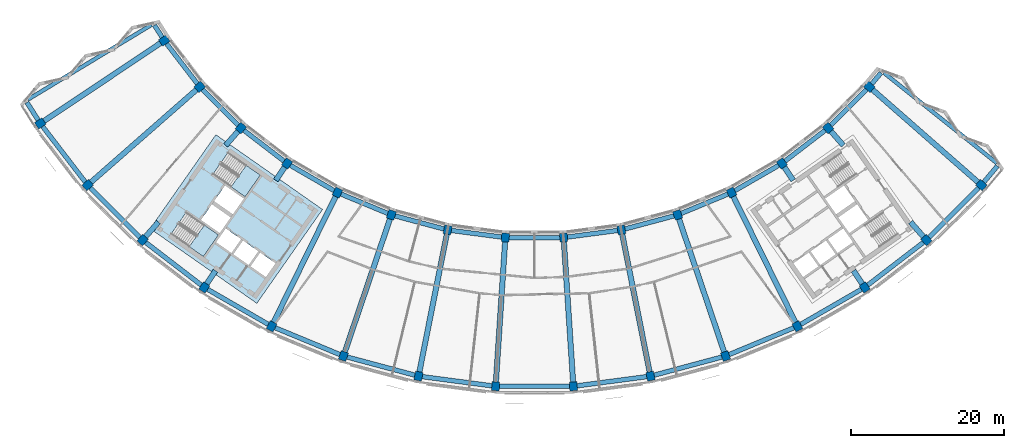
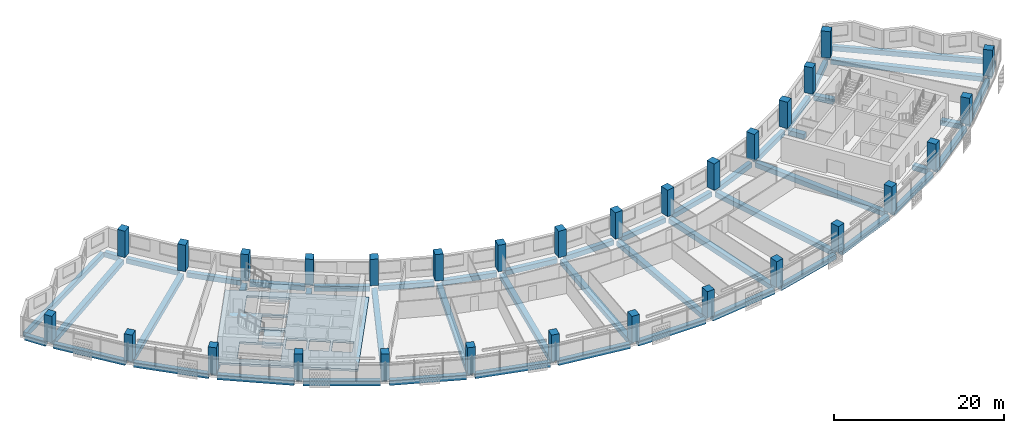
# One storey, part 1 of 28: 53 beams, 30 columns, 3 slabs, 2 elements without a shape of their own.
"""IFC4 building model written with IfcOpenShell, lengths in metres."""

import ifcopenshell
import ifcopenshell.guid

model = None  # the IFC model being written
_history = None  # IfcOwnerHistory: only IFC2X3 demands one
_inside = {}  # id of a spatial element -> (the spatial element, [elements in it])
_under = {}  # id of a project, library or spatial element -> (it, [spatial elements below it])
_declared = {}  # id of a project -> (the project, [libraries it declares])
_typed = {}  # id of a type object -> (the type object, [elements of that type])
_made_of = {}  # id of a material, layer set ... -> (it, [elements and type objects made of it])


def new_model(schema):
    """Start an empty IFC model of exactly this schema.

    Asked for "IFC4X3", IfcOpenShell would pick the latest addendum, in which some entities
    have other attributes; the version numbers below select the first issue.
    IFC2X3 requires an IfcOwnerHistory on every rooted entity: one is made here for all.
    """
    global model, _history
    if schema == "IFC4X3":
        model = ifcopenshell.file(schema_version=(4, 3, 0, 0))
    else:
        model = ifcopenshell.file(schema=schema)
    _inside.clear()
    _under.clear()
    _declared.clear()
    _typed.clear()
    _made_of.clear()
    _history = None
    if model.schema == "IFC2X3":
        org = make("IfcOrganization", Name="unknown")
        user = make(
            "IfcPersonAndOrganization",
            ThePerson=make("IfcPerson", FamilyName="unknown"),
            TheOrganization=org,
        )
        app = make(
            "IfcApplication",
            ApplicationDeveloper=org,
            Version="unknown",
            ApplicationFullName="unknown",
            ApplicationIdentifier="unknown",
        )
        _history = make(
            "IfcOwnerHistory",
            OwningUser=user,
            OwningApplication=app,
            ChangeAction="ADDED",
            CreationDate=0,
        )
    return model


def make(cls, **values):
    """One entity of the class cls with the attributes given. An attribute that is None is left unset."""
    return model.create_entity(
        cls, **{name: value for name, value in values.items() if value is not None}
    )


def rooted(cls, **values):
    """An entity with a GlobalId (a new one), such as an element, a storey or a relation."""
    return make(cls, GlobalId=ifcopenshell.guid.new(), OwnerHistory=_history, **values)


def si_unit(unit_type, name, prefix=None):
    """IfcSIUnit, for example si_unit("LENGTHUNIT", "METRE", prefix="MILLI")."""
    return make("IfcSIUnit", UnitType=unit_type, Prefix=prefix, Name=name)


def assignment(units):
    """IfcUnitAssignment: the units of a project."""
    return None if units is None else make("IfcUnitAssignment", Units=units)


def point(xyz):
    """IfcCartesianPoint."""
    return None if xyz is None else make("IfcCartesianPoint", Coordinates=xyz)


def direction(xyz):
    """IfcDirection."""
    return None if xyz is None else make("IfcDirection", DirectionRatios=xyz)


def frame(location, z_axis=None, x_axis=None):
    """IfcAxis2Placement3D, a coordinate frame: its origin and axes. An axis left out is left unset."""
    return make(
        "IfcAxis2Placement3D",
        Location=point(location),
        Axis=direction(z_axis),
        RefDirection=direction(x_axis),
    )


def frame_2d(location, x_axis=None):
    """IfcAxis2Placement2D, a coordinate frame in the plane: its origin and x axis."""
    return make(
        "IfcAxis2Placement2D", Location=point(location), RefDirection=direction(x_axis)
    )


def origin():
    """The frame at (0, 0, 0) with its axes left unset."""
    return frame((0.0, 0.0, 0.0))


def origin_2d():
    """The frame at (0, 0) in the plane with its x axis left unset."""
    return frame_2d((0.0, 0.0))


def place(relative_to, where):
    """IfcLocalPlacement: puts the frame where relative to a parent placement (None: the world)."""
    return make(
        "IfcLocalPlacement", PlacementRelTo=relative_to, RelativePlacement=where
    )


def context(
    kind, dimensions, precision=None, world=None, true_north=None, identifier=None
):
    """IfcGeometricRepresentationContext, for example the 3D "Model" context."""
    return make(
        "IfcGeometricRepresentationContext",
        ContextIdentifier=identifier,
        ContextType=kind,
        CoordinateSpaceDimension=dimensions,
        Precision=precision,
        WorldCoordinateSystem=world,
        TrueNorth=true_north,
    )


def subcontext(parent, identifier, kind, view, scale=None):
    """IfcGeometricRepresentationSubContext, for example "Body" below "Model"."""
    return make(
        "IfcGeometricRepresentationSubContext",
        ContextIdentifier=identifier,
        ContextType=kind,
        ParentContext=parent,
        TargetScale=scale,
        TargetView=view,
    )


def project(units=None, contexts=None):
    """IfcProject with its units and contexts."""
    return rooted(
        "IfcProject",
        Name="project",
        RepresentationContexts=contexts,
        UnitsInContext=assignment(units),
    )


def spatial(cls, under=None, at=None, **own):
    """A site, building, storey or space (cls), placed at a placement, below another one or the project."""
    s = rooted(cls, ObjectPlacement=at, **own)
    if under is not None:
        _under.setdefault(under.id(), (under, []))[1].append(s)
    return s


def polyline(points):
    """IfcPolyline through the points."""
    return make("IfcPolyline", Points=[point(p) for p in points])


def profile(cls, at=None, kind="AREA", **sizes):
    """A parametric profile (cls). Its sizes go by their IFC names, for example OverallWidth=200.0."""
    return make(cls, ProfileType=kind, Position=at, **sizes)


def rectangle(**sizes):
    """IfcRectangleProfileDef."""
    return profile("IfcRectangleProfileDef", **sizes)


def outline(outer, holes=None, kind="AREA"):
    """IfcArbitraryClosedProfileDef: a profile drawn as a closed curve; with holes, ...WithVoids."""
    if holes is None:
        return make("IfcArbitraryClosedProfileDef", ProfileType=kind, OuterCurve=outer)
    return make(
        "IfcArbitraryProfileDefWithVoids",
        ProfileType=kind,
        OuterCurve=outer,
        InnerCurves=holes,
    )


def extrude(swept, where, along, depth):
    """IfcExtrudedAreaSolid: the profile swept, set in the frame where, extruded along a direction by depth."""
    return make(
        "IfcExtrudedAreaSolid",
        SweptArea=swept,
        Position=where,
        ExtrudedDirection=direction(along),
        Depth=depth,
    )


def shape(context_of_items, identifier, shape_type, items):
    """IfcShapeRepresentation: the items that make up one representation, for example the "Body"."""
    return make(
        "IfcShapeRepresentation",
        ContextOfItems=context_of_items,
        RepresentationIdentifier=identifier,
        RepresentationType=shape_type,
        Items=items,
    )


def material(Name=None, Category=None):
    """IfcMaterial."""
    return make("IfcMaterial", Name=Name, Category=Category)


def layer(
    of_material, thickness, ventilated=None, Name=None, Category=None, Priority=None
):
    """IfcMaterialLayer: one layer of a wall or slab, of a material (None: an air gap)."""
    return make(
        "IfcMaterialLayer",
        Material=of_material,
        LayerThickness=thickness,
        IsVentilated=ventilated,
        Name=Name,
        Category=Category,
        Priority=Priority,
    )


def layer_set(layers, Name=None):
    """IfcMaterialLayerSet."""
    return make("IfcMaterialLayerSet", MaterialLayers=layers, LayerSetName=Name)


def material_profile(
    of_material, cross_section, Name=None, Category=None, Priority=None
):
    """IfcMaterialProfile: a cross section and its material."""
    return make(
        "IfcMaterialProfile",
        Name=Name,
        Material=of_material,
        Profile=cross_section,
        Priority=Priority,
        Category=Category,
    )


def profile_set(profiles, Name=None, composite=None):
    """IfcMaterialProfileSet."""
    return make(
        "IfcMaterialProfileSet",
        Name=Name,
        MaterialProfiles=profiles,
        CompositeProfile=composite,
    )


def made_of(thing, what):
    """Note that an element or type object is made of a material, layer set ...; save() writes the relation."""
    if what is not None:
        _made_of.setdefault(what.id(), (what, []))[1].append(thing)
    return thing


def type_object(cls, material=None, **own):
    """A type object (cls), such as IfcWallType, which elements share."""
    return made_of(rooted(cls, **own), material)


def element(
    cls,
    number,
    at=None,
    inside=None,
    cuts=None,
    type_object=None,
    material=None,
    context=None,
    identifier="Body",
    shape_type=None,
    held_by="IfcProductDefinitionShape",
    body=None,
    shapes=None,
    **own,
):
    """One element of the class cls, such as IfcWall. Its Tag is "e" and its number.

    at: its placement. inside: the storey or other place that contains it. cuts: it is an
    opening in that element (IfcRelVoidsElement). A single representation is given by context,
    identifier, shape_type and body (its items); several are given by shapes. held_by: the class
    of the entity that holds the representations. save() writes the other relations.
    """
    e = rooted(cls, Tag="e%d" % number, ObjectPlacement=at, **own)
    if body is not None:
        shapes = [shape(context, identifier, shape_type, body)]
    if shapes is not None:
        e.Representation = make(held_by, Representations=shapes)
    if inside is not None:
        _inside.setdefault(inside.id(), (inside, []))[1].append(e)
    if cuts is not None:
        rooted(
            "IfcRelVoidsElement", RelatingBuildingElement=cuts, RelatedOpeningElement=e
        )
    if type_object is not None:
        _typed.setdefault(type_object.id(), (type_object, []))[1].append(e)
    return made_of(e, material)


def aggregate(whole, parts):
    """IfcRelAggregates: a whole, such as a stair, and the parts it consists of."""
    return rooted("IfcRelAggregates", RelatingObject=whole, RelatedObjects=parts)


def save(model, path):
    """Write the relations noted so far, then the file.

    IfcRelAggregates (storeys below a building ...), IfcRelContainedInSpatialStructure (elements
    in a storey), IfcRelDefinesByType, IfcRelAssociatesMaterial and IfcRelDeclares: one each for
    every whole, place, type object, material and project.
    """
    for whole, parts in _under.values():
        aggregate(whole, parts)
    for where, things in _inside.values():
        rooted(
            "IfcRelContainedInSpatialStructure",
            RelatedElements=things,
            RelatingStructure=where,
        )
    for kind, things in _typed.values():
        rooted("IfcRelDefinesByType", RelatedObjects=things, RelatingType=kind)
    for what, things in _made_of.values():
        rooted("IfcRelAssociatesMaterial", RelatedObjects=things, RelatingMaterial=what)
    for by, libraries in _declared.values():
        rooted("IfcRelDeclares", RelatingContext=by, RelatedDefinitions=libraries)
    model.write(path)


model = new_model("IFC4")

# Units and contexts
model_context = context("Model", 3, precision=1e-05, world=origin(), true_north=direction((0.0, 1.0)))
body_context = subcontext(model_context, "Body", "Model", "MODEL_VIEW")
ifc_project = project(units=[si_unit("LENGTHUNIT", "METRE"), si_unit("AREAUNIT", "SQUARE_METRE"), si_unit("VOLUMEUNIT", "CUBIC_METRE"), si_unit("PLANEANGLEUNIT", "RADIAN"), si_unit("MASSUNIT", "GRAM", prefix="KILO")], contexts=[model_context])

# Site, building, storey
site_placement = place(None, origin())
site = spatial("IfcSite", under=ifc_project, at=site_placement, CompositionType="ELEMENT")
building_placement = place(site_placement, origin())
building = spatial("IfcBuilding", under=site, at=building_placement, Name="Qamariyya Broadcast Tower", CompositionType="ELEMENT")
storey_placement = place(building_placement, frame((0.0, 0.0, 245.5)))
storey = spatial("IfcBuildingStorey", under=building, at=storey_placement, Name="L59", CompositionType="ELEMENT", Elevation=245.5)

# Columns
ifc_material_1 = material(Name="Concrete C60/75", Category="concrete")
ifc_material_profile_1 = material_profile(ifc_material_1, rectangle(XDim=1.0, YDim=1.14990234375, at=origin_2d()))
ifc_profile_set_1 = profile_set([ifc_material_profile_1], Name="Concrete C60/75")
column_type = type_object("IfcColumnType", Name="RC column 1000 x 1150 C60/75", PredefinedType="COLUMN", material=ifc_profile_set_1)
for number, where, z_axis, x_axis, name in (
    (1, (-48.43310546875, -32.362060546875, 0.0), (0.0, 0.0, 1.0), (0.55557023302, -0.831469612303, 0.0), "Column C11 L59 B-R03"),
    (2, (-64.646728515625, -43.195556640625, 0.0), (0.0, 0.0, 1.0), (0.55557023302, -0.831469612303, 0.0), "Column C11 L59 C-R03"),
    (3, (-43.794677734375, -38.406982421875, 0.0), (0.0, 0.0, 1.0), (0.6593458151, -0.751839807479, 0.0), "Column C11 L59 B-R04"),
    (4, (-58.45556640625, -51.26416015625, 0.0), (0.0, 0.0, 1.0), (0.6593458151, -0.751839807479, 0.0), "Column C11 L59 C-R04"),
    (5, (-38.406982421875, -43.794677734375, 0.0), (0.0, 0.0, 1.0), (0.751839807479, -0.6593458151, 0.0), "Column C11 L59 B-R05"),
    (6, (-51.26416015625, -58.45556640625, 0.0), (0.0, 0.0, 1.0), (0.751839807479, -0.6593458151, 0.0), "Column C11 L59 C-R05"),
    (7, (-32.362060546875, -48.43310546875, 0.0), (0.0, 0.0, 1.0), (0.831469612303, -0.55557023302, 0.0), "Column C11 L59 B-R06"),
    (8, (-43.195556640625, -64.646728515625, 0.0), (0.0, 0.0, 1.0), (0.831469612303, -0.55557023302, 0.0), "Column C11 L59 C-R06"),
    (9, (-25.763427734375, -52.242919921875, 0.0), (0.0, 0.0, 1.0), (0.896872741533, -0.442288690219, 0.0), "Column C11 L59 B-R07"),
    (10, (-34.387939453125, -69.73193359375, 0.0), (0.0, 0.0, 1.0), (0.896872741533, -0.442288690219, 0.0), "Column C11 L59 C-R07"),
    (11, (-18.723876953125, -55.15869140625, 0.0), (0.0, 0.0, 1.0), (0.946930129495, -0.321439465303, 0.0), "Column C11 L59 B-R08"),
    (12, (-24.991943359375, -73.623779296875, 0.0), (0.0, 0.0, 1.0), (0.946930129495, -0.321439465303, 0.0), "Column C11 L59 C-R08"),
    (13, (-11.364013671875, -57.130859375, 0.0), (0.0, 0.0, 1.0), (0.980785280403, -0.195090322016, 0.0), "Column C11 L59 B-R09"),
    (14, (-15.168212890625, -76.256103515625, 0.0), (0.0, 0.0, 1.0), (0.980785280403, -0.195090322016, 0.0), "Column C11 L59 C-R09"),
    (15, (-3.809814453125, -58.125244140625, 0.0), (0.0, 0.0, 1.0), (0.997858923239, -0.06540312923, 0.0), "Column C11 L59 B-R10"),
    (16, (-5.085205078125, -77.58349609375, 0.0), (0.0, 0.0, 1.0), (0.997858923239, -0.06540312923, 0.0), "Column C11 L59 C-R10"),
    (17, (3.809814453125, -58.125244140625, 0.0), (0.0, 0.0, 1.0), (0.997858923239, 0.06540312923, 0.0), "Column C11 L59 B-R11"),
    (18, (5.085205078125, -77.58349609375, 0.0), (0.0, 0.0, 1.0), (0.997858923239, 0.06540312923, 0.0), "Column C11 L59 C-R11"),
    (19, (11.364013671875, -57.130859375, 0.0), (0.0, 0.0, 1.0), (0.980785280403, 0.195090322016, 0.0), "Column C11 L59 B-R12"),
    (20, (15.168212890625, -76.256103515625, 0.0), (0.0, 0.0, 1.0), (0.980785280403, 0.195090322016, 0.0), "Column C11 L59 C-R12"),
    (21, (18.723876953125, -55.15869140625, 0.0), (0.0, 0.0, 1.0), (0.946930129495, 0.321439465303, 0.0), "Column C11 L59 B-R13"),
    (22, (24.991943359375, -73.623779296875, 0.0), (0.0, 0.0, 1.0), (0.946930129495, 0.321439465303, 0.0), "Column C11 L59 C-R13"),
    (23, (25.763427734375, -52.242919921875, 0.0), (0.0, 0.0, 1.0), (0.896872741533, 0.442288690219, 0.0), "Column C11 L59 B-R14"),
    (24, (34.387939453125, -69.73193359375, 0.0), (0.0, 0.0, 1.0), (0.896872741533, 0.442288690219, 0.0), "Column C11 L59 C-R14"),
    (25, (32.362060546875, -48.43310546875, 0.0), (0.0, 0.0, 1.0), (0.831469612303, 0.55557023302, 0.0), "Column C11 L59 B-R15"),
    (26, (43.195556640625, -64.646728515625, 0.0), (0.0, 0.0, 1.0), (0.831469612303, 0.55557023302, 0.0), "Column C11 L59 C-R15"),
    (27, (38.406982421875, -43.794677734375, 0.0), (0.0, 0.0, 1.0), (0.751839807479, 0.6593458151, 0.0), "Column C11 L59 B-R16"),
    (28, (51.26416015625, -58.45556640625, 0.0), (0.0, 0.0, 1.0), (0.751839807479, 0.6593458151, 0.0), "Column C11 L59 C-R16"),
    (29, (43.794677734375, -38.406982421875, 0.0), (0.0, 0.0, 1.0), (0.6593458151, 0.751839807479, 0.0), "Column C11 L59 B-R17"),
    (30, (58.45556640625, -51.26416015625, 0.0), (0.0, 0.0, 1.0), (0.6593458151, 0.751839807479, 0.0), "Column C11 L59 C-R17"),
):
    element("IfcColumn", number, at=place(storey_placement, frame(where, z_axis=z_axis, x_axis=x_axis)), inside=storey, type_object=column_type, Name=name, PredefinedType="COLUMN", context=body_context, shape_type="SweptSolid", body=[
        extrude(rectangle(XDim=1.0, YDim=1.14990234375, at=origin_2d()), origin(), (0.0, 0.0, 1.0), 3.800048828125),
    ])

# Beams
ifc_material_2 = material(Name="Concrete C40/50", Category="concrete")
ifc_material_profile_2 = material_profile(ifc_material_2, rectangle(XDim=0.60009765625, YDim=0.699951171875, at=origin_2d()))
ifc_profile_set_2 = profile_set([ifc_material_profile_2], Name="Concrete C40/50")
beam_type_1 = type_object("IfcBeamType", Name="RC edge beam 600 x 700 C40/50", PredefinedType="SPANDREL", material=ifc_profile_set_2)
for number, where, z_axis, x_axis, name in (
    (31, (-48.128173828125, -32.759521484375, -0.64990234375), (0.608788546151, -0.79333253184, 0.0), (0.79333253184, 0.608788546151, 0.0), "Edge beam B20 L59 B R03-R04"),
    (32, (-43.4404296875, -38.76123046875, -0.64990234375), (0.707106781187, -0.707106781187, 0.0), (0.707106781187, 0.707106781187, 0.0), "Edge beam B20 L59 B R04-R05"),
    (33, (-38.00927734375, -44.099609375, -0.64990234375), (0.79333253184, -0.608788546151, 0.0), (0.608788546151, 0.79333253184, 0.0), "Edge beam B20 L59 B R05-R06"),
):
    element("IfcBeam", number, at=place(storey_placement, frame(where, z_axis=z_axis, x_axis=x_axis)), inside=storey, type_object=beam_type_1, Name=name, PredefinedType="SPANDREL", context=body_context, shape_type="SweptSolid", body=[
        extrude(rectangle(XDim=0.60009765625, YDim=0.699951171875, at=origin_2d()), origin(), (0.0, 0.0, 1.0), 6.617431640625),
    ])
for number, where, z_axis, x_axis, name in (
    (34, (-31.927978515625, -48.68359375, -0.64990234375), (0.866027686223, -0.499996046679, 0.0), (0.499996046679, 0.866027686223, 0.0), "Edge beam B20 L59 B R06-R07"),
    (35, (-25.30029296875, -52.4345703125, -0.64990234375), (0.923870685948, -0.382704789159, 0.0), (0.382704789159, 0.923870685948, 0.0), "Edge beam B20 L59 B R07-R08"),
):
    element("IfcBeam", number, at=place(storey_placement, frame(where, z_axis=z_axis, x_axis=x_axis)), inside=storey, type_object=beam_type_1, Name=name, PredefinedType="SPANDREL", context=body_context, shape_type="SweptSolid", body=[
        extrude(rectangle(XDim=0.60009765625, YDim=0.699951171875, at=origin_2d()), origin(), (0.0, 0.0, 1.0), 6.6171875),
    ])
for number, where, z_axis, x_axis, name in (
    (36, (-18.23974609375, -55.288330078125, -0.64990234375), (0.965927466282, -0.258812924486, 0.0), (0.258812924486, 0.965927466282, 0.0), "Edge beam B20 L59 B R08-R09"),
    (37, (-10.8671875, -57.196044921875, -0.64990234375), (0.991444372314, -0.130529906942, 0.0), (0.130529906942, 0.991444372314, 0.0), "Edge beam B20 L59 B R09-R10"),
):
    element("IfcBeam", number, at=place(storey_placement, frame(where, z_axis=z_axis, x_axis=x_axis)), inside=storey, type_object=beam_type_1, Name=name, PredefinedType="SPANDREL", context=body_context, shape_type="SweptSolid", body=[
        extrude(rectangle(XDim=0.60009765625, YDim=0.699951171875, at=origin_2d()), origin(), (0.0, 0.0, 1.0), 6.617431640625),
    ])
beam_1_placement = place(storey_placement, frame((-3.30859375, -58.125244140625, -0.64990234375), z_axis=(1.0, 0.0, 0.0), x_axis=(0.0, 1.0, 0.0)))
element("IfcBeam", 38, at=beam_1_placement, inside=storey, type_object=beam_type_1, Name="Edge beam B20 L59 B R10-R11", PredefinedType="SPANDREL", context=body_context, shape_type="SweptSolid", body=[
    extrude(rectangle(XDim=0.60009765625, YDim=0.699951171875, at=origin_2d()), origin(), (0.0, 0.0, 1.0), 6.6171875),
])
for number, where, z_axis, x_axis, name in (
    (39, (4.306396484375, -58.059814453125, -0.64990234375), (0.991444372314, 0.130529906942, 0.0), (-0.130529906942, 0.991444372314, 0.0), "Edge beam B20 L59 B R11-R12"),
    (40, (11.847900390625, -57.0009765625, -0.64990234375), (0.965927466282, 0.258812924486, 0.0), (-0.258812924486, 0.965927466282, 0.0), "Edge beam B20 L59 B R12-R13"),
):
    element("IfcBeam", number, at=place(storey_placement, frame(where, z_axis=z_axis, x_axis=x_axis)), inside=storey, type_object=beam_type_1, Name=name, PredefinedType="SPANDREL", context=body_context, shape_type="SweptSolid", body=[
        extrude(rectangle(XDim=0.60009765625, YDim=0.699951171875, at=origin_2d()), origin(), (0.0, 0.0, 1.0), 6.617431640625),
    ])
for number, where, z_axis, x_axis, name in (
    (41, (19.186767578125, -54.967041015625, -0.64990234375), (0.923870685948, 0.382704789159, 0.0), (-0.382704789159, 0.923870685948, 0.0), "Edge beam B20 L59 B R13-R14"),
    (42, (26.197265625, -51.9921875, -0.64990234375), (0.866027686223, 0.499996046679, 0.0), (-0.499996046679, 0.866027686223, 0.0), "Edge beam B20 L59 B R14-R15"),
):
    element("IfcBeam", number, at=place(storey_placement, frame(where, z_axis=z_axis, x_axis=x_axis)), inside=storey, type_object=beam_type_1, Name=name, PredefinedType="SPANDREL", context=body_context, shape_type="SweptSolid", body=[
        extrude(rectangle(XDim=0.60009765625, YDim=0.699951171875, at=origin_2d()), origin(), (0.0, 0.0, 1.0), 6.6171875),
    ])
for number, where, z_axis, x_axis, name in (
    (43, (32.759521484375, -48.128173828125, -0.64990234375), (0.79333253184, 0.608788546151, 0.0), (-0.608788546151, 0.79333253184, 0.0), "Edge beam B20 L59 B R15-R16"),
    (44, (38.76123046875, -43.4404296875, -0.64990234375), (0.707106781187, 0.707106781187, 0.0), (-0.707106781187, 0.707106781187, 0.0), "Edge beam B20 L59 B R16-R17"),
):
    element("IfcBeam", number, at=place(storey_placement, frame(where, z_axis=z_axis, x_axis=x_axis)), inside=storey, type_object=beam_type_1, Name=name, PredefinedType="SPANDREL", context=body_context, shape_type="SweptSolid", body=[
        extrude(rectangle(XDim=0.60009765625, YDim=0.699951171875, at=origin_2d()), origin(), (0.0, 0.0, 1.0), 6.617431640625),
    ])
for number, where, z_axis, x_axis, name in (
    (45, (-64.341796875, -43.593017578125, -0.64990234375), (0.608761882331, -0.793352992445, 0.0), (0.793352992445, 0.608761882331, 0.0), "Edge beam B20 L59 C R03-R04"),
    (46, (-58.101318359375, -51.618408203125, -0.64990234375), (0.707106781187, -0.707106781187, 0.0), (0.707106781187, 0.707106781187, 0.0), "Edge beam B20 L59 C R04-R05"),
    (47, (-50.86669921875, -58.760498046875, -0.64990234375), (0.793352992445, -0.608761882331, 0.0), (0.608761882331, 0.793352992445, 0.0), "Edge beam B20 L59 C R05-R06"),
    (48, (-42.76171875, -64.897216796875, -0.64990234375), (0.866032154434, -0.49998830735, 0.0), (0.49998830735, 0.866032154434, 0.0), "Edge beam B20 L59 C R06-R07"),
    (49, (-33.925048828125, -69.923583984375, -0.64990234375), (0.923876946533, -0.382689675409, 0.0), (0.382689675409, 0.923876946533, 0.0), "Edge beam B20 L59 C R07-R08"),
):
    element("IfcBeam", number, at=place(storey_placement, frame(where, z_axis=z_axis, x_axis=x_axis)), inside=storey, type_object=beam_type_1, Name=name, PredefinedType="SPANDREL", context=body_context, shape_type="SweptSolid", body=[
        extrude(rectangle(XDim=0.60009765625, YDim=0.699951171875, at=origin_2d()), origin(), (0.0, 0.0, 1.0), 9.168212890625),
    ])
for number, where, z_axis, x_axis, name in (
    (50, (-24.5078125, -73.75341796875, -0.64990234375), (0.965919522093, -0.258842571536, 0.0), (0.258842571536, 0.965919522093, 0.0), "Edge beam B20 L59 C R08-R09"),
    (51, (-14.67138671875, -76.321533203125, -0.64990234375), (0.991446770895, -0.130511687147, 0.0), (0.130511687147, 0.991446770895, 0.0), "Edge beam B20 L59 C R09-R10"),
    (52, (-4.583984375, -77.58349609375, -0.64990234375), (1.0, 0.0, 0.0), (0.0, 1.0, 0.0), "Edge beam B20 L59 C R10-R11"),
    (53, (5.581787109375, -77.51806640625, -0.64990234375), (0.991446770895, 0.130511687147, 0.0), (-0.130511687147, 0.991446770895, 0.0), "Edge beam B20 L59 C R11-R12"),
    (54, (15.65234375, -76.12646484375, -0.64990234375), (0.965919522093, 0.258842571536, 0.0), (-0.258842571536, 0.965919522093, 0.0), "Edge beam B20 L59 C R12-R13"),
):
    element("IfcBeam", number, at=place(storey_placement, frame(where, z_axis=z_axis, x_axis=x_axis)), inside=storey, type_object=beam_type_1, Name=name, PredefinedType="SPANDREL", context=body_context, shape_type="SweptSolid", body=[
        extrude(rectangle(XDim=0.60009765625, YDim=0.699951171875, at=origin_2d()), origin(), (0.0, 0.0, 1.0), 9.16796875),
    ])
for number, where, z_axis, x_axis, name in (
    (55, (25.454833984375, -73.43212890625, -0.64990234375), (0.923876946533, 0.382689675409, 0.0), (-0.382689675409, 0.923876946533, 0.0), "Edge beam B20 L59 C R13-R14"),
    (56, (34.82177734375, -69.481201171875, -0.64990234375), (0.866032154434, 0.49998830735, 0.0), (-0.49998830735, 0.866032154434, 0.0), "Edge beam B20 L59 C R14-R15"),
    (57, (43.593017578125, -64.341796875, -0.64990234375), (0.793352992445, 0.608761882331, 0.0), (-0.608761882331, 0.793352992445, 0.0), "Edge beam B20 L59 C R15-R16"),
    (58, (51.618408203125, -58.101318359375, -0.64990234375), (0.707106781187, 0.707106781187, 0.0), (-0.707106781187, 0.707106781187, 0.0), "Edge beam B20 L59 C R16-R17"),
):
    element("IfcBeam", number, at=place(storey_placement, frame(where, z_axis=z_axis, x_axis=x_axis)), inside=storey, type_object=beam_type_1, Name=name, PredefinedType="SPANDREL", context=body_context, shape_type="SweptSolid", body=[
        extrude(rectangle(XDim=0.60009765625, YDim=0.699951171875, at=origin_2d()), origin(), (0.0, 0.0, 1.0), 9.168212890625),
    ])
ifc_material_profile_3 = material_profile(ifc_material_2, rectangle(XDim=0.60009765625, YDim=0.699951171875, at=origin_2d()))
ifc_profile_set_3 = profile_set([ifc_material_profile_3], Name="Concrete C40/50")
beam_type_2 = type_object("IfcBeamType", Name="RC horn beam 600 x 700 C40/50", PredefinedType="BEAM", material=ifc_profile_set_3)
beam_2_placement = place(storey_placement, frame((-48.701416015625, -31.93994140625, -0.64990234375), z_axis=(-0.536648955013, 0.843805605032, 0.0), x_axis=(-0.843805605032, -0.536648955013, 0.0)))
element("IfcBeam", 59, at=beam_2_placement, inside=storey, type_object=beam_type_2, Name="Horn beam B19 L59 W B-R03", PredefinedType="BEAM", context=body_context, shape_type="SweptSolid", body=[
    extrude(rectangle(XDim=0.60009765625, YDim=0.699951171875, at=origin_2d()), origin(), (0.0, 0.0, 1.0), 1.883056640625),
])
beam_3_placement = place(storey_placement, frame((-64.9150390625, -42.773681640625, -0.64990234375), z_axis=(-0.536658336326, 0.843799638571, 0.0), x_axis=(-0.843799638571, -0.536658336326, 0.0)))
element("IfcBeam", 60, at=beam_3_placement, inside=storey, type_object=beam_type_2, Name="Horn beam B19 L59 W C-R03", PredefinedType="BEAM", context=body_context, shape_type="SweptSolid", body=[
    extrude(rectangle(XDim=0.60009765625, YDim=0.699951171875, at=origin_2d()), origin(), (0.0, 0.0, 1.0), 2.7646484375),
])
beam_4_placement = place(storey_placement, frame((44.11572265625, -38.0234375, -0.64990234375), z_axis=(0.642273389298, 0.766475631315, 0.0), x_axis=(-0.766475631315, 0.642273389298, 0.0)))
element("IfcBeam", 61, at=beam_4_placement, inside=storey, type_object=beam_type_2, Name="Horn beam B19 L59 E B-R17", PredefinedType="BEAM", context=body_context, shape_type="SweptSolid", body=[
    extrude(rectangle(XDim=0.60009765625, YDim=0.699951171875, at=origin_2d()), origin(), (0.0, 0.0, 1.0), 1.883056640625),
])
beam_5_placement = place(storey_placement, frame((58.776611328125, -50.880859375, -0.64990234375), z_axis=(0.642197424525, 0.766539280098, 0.0), x_axis=(-0.766539280098, 0.642197424525, 0.0)))
element("IfcBeam", 62, at=beam_5_placement, inside=storey, type_object=beam_type_2, Name="Horn beam B19 L59 E C-R17", PredefinedType="BEAM", context=body_context, shape_type="SweptSolid", body=[
    extrude(rectangle(XDim=0.60009765625, YDim=0.699951171875, at=origin_2d()), origin(), (0.0, 0.0, 1.0), 2.7646484375),
])
ifc_material_profile_4 = material_profile(ifc_material_2, rectangle(XDim=0.5, YDim=0.699951171875, at=origin_2d()))
ifc_profile_set_4 = profile_set([ifc_material_profile_4], Name="Concrete C40/50")
beam_type_3 = type_object("IfcBeamType", Name="RC horn cap beam 500 x 700 C40/50", PredefinedType="BEAM", material=ifc_profile_set_4)
beam_6_placement = place(storey_placement, frame((-50.102783203125, -30.295166015625, -0.64990234375), z_axis=(-0.85572466791, -0.517431437709, 0.0), x_axis=(0.517431437709, -0.85572466791, 0.0)))
element("IfcBeam", 63, at=beam_6_placement, inside=storey, type_object=beam_type_3, Name="Horn cap beam B21 L59 W B-C", PredefinedType="BEAM", context=body_context, shape_type="SweptSolid", body=[
    extrude(rectangle(XDim=0.5, YDim=0.699951171875, at=origin_2d()), origin(), (0.0, 0.0, 1.0), 18.900146484375),
])
beam_7_placement = place(storey_placement, frame((45.719970703125, -36.575927734375, -0.64990234375), z_axis=(0.780868809443, -0.624695047554, 0.0), x_axis=(0.624695047554, 0.780868809443, 0.0)))
element("IfcBeam", 64, at=beam_7_placement, inside=storey, type_object=beam_type_3, Name="Horn cap beam B21 L59 E B-C", PredefinedType="BEAM", context=body_context, shape_type="SweptSolid", body=[
    extrude(rectangle(XDim=0.5, YDim=0.699951171875, at=origin_2d()), origin(), (0.0, 0.0, 1.0), 18.89990234375),
])
ifc_material_profile_5 = material_profile(ifc_material_2, rectangle(XDim=0.699951171875, YDim=0.699951171875, at=origin_2d()))
ifc_profile_set_5 = profile_set([ifc_material_profile_5], Name="Concrete C40/50")
beam_type_4 = type_object("IfcBeamType", Name="RC radial beam 700 x 700 C40/50", PredefinedType="BEAM", material=ifc_profile_set_5)
beam_8_placement = place(storey_placement, frame((-48.9111328125, -32.681396484375, -0.64990234375), z_axis=(-0.831468530479, -0.55557185208, 0.0), x_axis=(0.55557185208, -0.831468530479, 0.0)))
element("IfcBeam", 65, at=beam_8_placement, inside=storey, type_object=beam_type_4, Name="Radial beam B18 L59 R03 B-C", PredefinedType="BEAM", context=body_context, shape_type="SweptSolid", body=[
    extrude(rectangle(XDim=0.699951171875, YDim=0.699951171875, at=origin_2d()), origin(), (0.0, 0.0, 1.0), 18.35009765625),
])
beam_9_placement = place(storey_placement, frame((-44.22705078125, -38.7861328125, -0.64990234375), z_axis=(-0.751840222646, -0.659345341692, 0.0), x_axis=(0.659345341692, -0.751840222646, 0.0)))
element("IfcBeam", 66, at=beam_9_placement, inside=storey, type_object=beam_type_4, Name="Radial beam B18 L59 R04 B-C", PredefinedType="BEAM", context=body_context, shape_type="SweptSolid", body=[
    extrude(rectangle(XDim=0.699951171875, YDim=0.699951171875, at=origin_2d()), origin(), (0.0, 0.0, 1.0), 18.349853515625),
])
beam_10_placement = place(storey_placement, frame((-38.7861328125, -44.22705078125, -0.64990234375), z_axis=(-0.659347500472, -0.751838329444, 0.0), x_axis=(0.751838329444, -0.659347500472, 0.0)))
element("IfcBeam", 67, at=beam_10_placement, inside=storey, type_object=beam_type_4, Name="Radial beam B18 L59 R05 B-C", PredefinedType="BEAM", context=body_context, shape_type="SweptSolid", body=[
    extrude(rectangle(XDim=0.699951171875, YDim=0.699951171875, at=origin_2d()), origin(), (0.0, 0.0, 1.0), 2.43896484375),
])
beam_11_placement = place(storey_placement, frame((-49.1943359375, -56.095458984375, -0.64990234375), z_axis=(-0.65936701245, -0.751821217373, 0.0), x_axis=(0.751821217373, -0.65936701245, 0.0)))
element("IfcBeam", 68, at=beam_11_placement, inside=storey, type_object=beam_type_4, Name="Radial beam B18 L59 R05 B-C", PredefinedType="BEAM", context=body_context, shape_type="SweptSolid", body=[
    extrude(rectangle(XDim=0.699951171875, YDim=0.699951171875, at=origin_2d()), origin(), (0.0, 0.0, 1.0), 2.56396484375),
])
beam_12_placement = place(storey_placement, frame((-32.681396484375, -48.9111328125, -0.64990234375), z_axis=(-0.555589685374, -0.831456614326, 0.0), x_axis=(0.831456614326, -0.555589685374, 0.0)))
element("IfcBeam", 69, at=beam_12_placement, inside=storey, type_object=beam_type_4, Name="Radial beam B18 L59 R06 B-C", PredefinedType="BEAM", context=body_context, shape_type="SweptSolid", body=[
    extrude(rectangle(XDim=0.699951171875, YDim=0.699951171875, at=origin_2d()), origin(), (0.0, 0.0, 1.0), 2.08935546875),
])
beam_13_placement = place(storey_placement, frame((-41.733154296875, -62.458251953125, -0.64990234375), z_axis=(-0.555630982199, -0.831429017788, 0.0), x_axis=(0.831429017788, -0.555630982199, 0.0)))
element("IfcBeam", 70, at=beam_13_placement, inside=storey, type_object=beam_type_4, Name="Radial beam B18 L59 R06 B-C", PredefinedType="BEAM", context=body_context, shape_type="SweptSolid", body=[
    extrude(rectangle(XDim=0.699951171875, YDim=0.699951171875, at=origin_2d()), origin(), (0.0, 0.0, 1.0), 2.05712890625),
])
beam_14_placement = place(storey_placement, frame((-26.017578125, -52.758544921875, -0.64990234375), z_axis=(-0.442289405452, -0.896872388819, 0.0), x_axis=(0.896872388819, -0.442289405452, 0.0)))
element("IfcBeam", 71, at=beam_14_placement, inside=storey, type_object=beam_type_4, Name="Radial beam B18 L59 R07 B-C", PredefinedType="BEAM", context=body_context, shape_type="SweptSolid", body=[
    extrude(rectangle(XDim=0.699951171875, YDim=0.699951171875, at=origin_2d()), origin(), (0.0, 0.0, 1.0), 18.349853515625),
])
for number, where, z_axis, x_axis, name in (
    (72, (-18.90869140625, -55.703125, -0.64990234375), (-0.321439728167, -0.946930040265, 0.0), (0.946930040265, -0.321439728167, 0.0), "Radial beam B18 L59 R08 B-C"),
    (73, (-11.47607421875, -57.694580078125, -0.64990234375), (-0.195097720648, -0.980783808695, 0.0), (0.980783808695, -0.195097720648, 0.0), "Radial beam B18 L59 R09 B-C"),
    (74, (-3.847412109375, -58.698974609375, -0.64990234375), (-0.065405444204, -0.997858771505, 0.0), (0.997858771505, -0.065405444204, 0.0), "Radial beam B18 L59 R10 B-C"),
    (75, (3.847412109375, -58.698974609375, -0.64990234375), (0.065405444204, -0.997858771505, 0.0), (0.997858771505, 0.065405444204, 0.0), "Radial beam B18 L59 R11 B-C"),
    (76, (11.47607421875, -57.694580078125, -0.64990234375), (0.195097720648, -0.980783808695, 0.0), (0.980783808695, 0.195097720648, 0.0), "Radial beam B18 L59 R12 B-C"),
    (77, (18.90869140625, -55.703125, -0.64990234375), (0.321439728167, -0.946930040265, 0.0), (0.946930040265, 0.321439728167, 0.0), "Radial beam B18 L59 R13 B-C"),
):
    element("IfcBeam", number, at=place(storey_placement, frame(where, z_axis=z_axis, x_axis=x_axis)), inside=storey, type_object=beam_type_4, Name=name, PredefinedType="BEAM", context=body_context, shape_type="SweptSolid", body=[
        extrude(rectangle(XDim=0.699951171875, YDim=0.699951171875, at=origin_2d()), origin(), (0.0, 0.0, 1.0), 18.35009765625),
    ])
beam_15_placement = place(storey_placement, frame((26.017578125, -52.758544921875, -0.64990234375), z_axis=(0.442289405452, -0.896872388819, 0.0), x_axis=(0.896872388819, 0.442289405452, 0.0)))
element("IfcBeam", 78, at=beam_15_placement, inside=storey, type_object=beam_type_4, Name="Radial beam B18 L59 R14 B-C", PredefinedType="BEAM", context=body_context, shape_type="SweptSolid", body=[
    extrude(rectangle(XDim=0.699951171875, YDim=0.699951171875, at=origin_2d()), origin(), (0.0, 0.0, 1.0), 18.349853515625),
])
beam_16_placement = place(storey_placement, frame((32.681396484375, -48.9111328125, -0.64990234375), z_axis=(0.555589685374, -0.831456614326, 0.0), x_axis=(0.831456614326, 0.555589685374, 0.0)))
element("IfcBeam", 79, at=beam_16_placement, inside=storey, type_object=beam_type_4, Name="Radial beam B18 L59 R15 B-C", PredefinedType="BEAM", context=body_context, shape_type="SweptSolid", body=[
    extrude(rectangle(XDim=0.699951171875, YDim=0.699951171875, at=origin_2d()), origin(), (0.0, 0.0, 1.0), 2.08935546875),
])
beam_17_placement = place(storey_placement, frame((41.733154296875, -62.458251953125, -0.64990234375), z_axis=(0.555630982199, -0.831429017788, 0.0), x_axis=(0.831429017788, 0.555630982199, 0.0)))
element("IfcBeam", 80, at=beam_17_placement, inside=storey, type_object=beam_type_4, Name="Radial beam B18 L59 R15 B-C", PredefinedType="BEAM", context=body_context, shape_type="SweptSolid", body=[
    extrude(rectangle(XDim=0.699951171875, YDim=0.699951171875, at=origin_2d()), origin(), (0.0, 0.0, 1.0), 2.05712890625),
])
beam_18_placement = place(storey_placement, frame((38.7861328125, -44.22705078125, -0.64990234375), z_axis=(0.659347500472, -0.751838329444, 0.0), x_axis=(0.751838329444, 0.659347500472, 0.0)))
element("IfcBeam", 81, at=beam_18_placement, inside=storey, type_object=beam_type_4, Name="Radial beam B18 L59 R16 B-C", PredefinedType="BEAM", context=body_context, shape_type="SweptSolid", body=[
    extrude(rectangle(XDim=0.699951171875, YDim=0.699951171875, at=origin_2d()), origin(), (0.0, 0.0, 1.0), 2.43896484375),
])
beam_19_placement = place(storey_placement, frame((49.1943359375, -56.095458984375, -0.64990234375), z_axis=(0.65936701245, -0.751821217373, 0.0), x_axis=(0.751821217373, 0.65936701245, 0.0)))
element("IfcBeam", 82, at=beam_19_placement, inside=storey, type_object=beam_type_4, Name="Radial beam B18 L59 R16 B-C", PredefinedType="BEAM", context=body_context, shape_type="SweptSolid", body=[
    extrude(rectangle(XDim=0.699951171875, YDim=0.699951171875, at=origin_2d()), origin(), (0.0, 0.0, 1.0), 2.56396484375),
])
beam_20_placement = place(storey_placement, frame((44.22705078125, -38.7861328125, -0.64990234375), z_axis=(0.751840222646, -0.659345341692, 0.0), x_axis=(0.659345341692, 0.751840222646, 0.0)))
element("IfcBeam", 83, at=beam_20_placement, inside=storey, type_object=beam_type_4, Name="Radial beam B18 L59 R17 B-C", PredefinedType="BEAM", context=body_context, shape_type="SweptSolid", body=[
    extrude(rectangle(XDim=0.699951171875, YDim=0.699951171875, at=origin_2d()), origin(), (0.0, 0.0, 1.0), 18.349853515625),
])

# Slab
ifc_layer_1 = layer(ifc_material_2, 0.300048828125)
ifc_layer_set_1 = layer_set([ifc_layer_1], Name="Core floor slab 300 mm Concrete C40/50")
slab_type_1 = type_object("IfcSlabType", Name="Core floor slab 300 mm Concrete C40/50", PredefinedType="FLOOR", material=ifc_layer_set_1)
slab_1_placement = place(storey_placement, frame((0.0, 0.0, -0.300048828125)))
element("IfcSlab", 84, at=slab_1_placement, inside=storey, type_object=slab_type_1, Name="k-W-L59-slab", PredefinedType="FLOOR", context=body_context, shape_type="SweptSolid", body=[
    extrude(outline(polyline([(-50.286376953125, -56.95751953125), (-36.32373046875, -66.734375), (-27.719970703125, -54.447021484375), (-41.6826171875, -44.67041015625), (-50.286376953125, -56.95751953125)]), holes=[polyline([(-33.87353515625, -61.49169921875), (-35.88037109375, -60.08642578125), (-37.142333984375, -61.888427734375), (-35.13525390625, -63.293701171875), (-33.87353515625, -61.49169921875)]), polyline([(-36.126220703125, -59.914306640625), (-38.133056640625, -58.509033203125), (-39.394775390625, -60.311279296875), (-37.387939453125, -61.716552734375), (-36.126220703125, -59.914306640625)]), polyline([(-38.378662109375, -58.3369140625), (-40.3857421875, -56.931640625), (-41.6474609375, -58.73388671875), (-39.640625, -60.13916015625), (-38.378662109375, -58.3369140625)]), polyline([(-39.742431640625, -55.489990234375), (-42.199951171875, -53.769287109375), (-43.6337890625, -55.817138671875), (-41.17626953125, -57.537841796875), (-39.742431640625, -55.489990234375)]), polyline([(-39.45556640625, -55.080322265625), (-41.9130859375, -53.359619140625), (-40.47900390625, -51.311767578125), (-38.021728515625, -53.032470703125), (-39.45556640625, -55.080322265625)]), polyline([(-42.06103515625, -49.837890625), (-37.849609375, -52.78662109375), (-35.870849609375, -49.960693359375), (-40.082275390625, -47.01171875), (-42.06103515625, -49.837890625)]), polyline([(-47.538818359375, -57.66064453125), (-43.3271484375, -60.609619140625), (-41.348388671875, -57.783447265625), (-45.559814453125, -54.834716796875), (-47.538818359375, -57.66064453125)])]), origin(), (0.0, 0.0, 1.0), 0.300048828125),
])

# Stair, slab
ifc_material_3 = material(Name="Concrete C50/60", Category="concrete")
stair_type = type_object("IfcStairType", Name="Exit stair 22 risers of 173 mm", PredefinedType="HALF_TURN_STAIR", material=ifc_material_3)
stair_1_placement = place(storey_placement, origin())
stair_1 = element("IfcStair", 85, at=stair_1_placement, inside=storey, type_object=stair_type, Name="L59 Stair W2", PredefinedType="HALF_TURN_STAIR")
ifc_layer_2 = layer(ifc_material_3, 0.199951171875)
ifc_layer_set_2 = layer_set([ifc_layer_2], Name="Stair landing")
slab_type_2 = type_object("IfcSlabType", Name="Stair landing", PredefinedType="LANDING", material=ifc_layer_set_2)
slab_2_placement = place(storey_placement, frame((0.0, 0.0, 1.699951171875)))
slab_2 = element("IfcSlab", 86, at=slab_2_placement, type_object=slab_type_2, Name="ST-W2 landing 1", PredefinedType="LANDING", context=body_context, shape_type="SweptSolid", body=[
    extrude(outline(polyline([(-39.692138671875, -51.49658203125), (-37.849609375, -52.78662109375), (-35.870849609375, -49.960693359375), (-37.71337890625, -48.67041015625), (-39.692138671875, -51.49658203125)])), origin(), (0.0, 0.0, 1.0), 0.199951171875),
])
aggregate(stair_1, [slab_2])

stair_2_placement = place(storey_placement, origin())
stair_2 = element("IfcStair", 87, at=stair_2_placement, inside=storey, type_object=stair_type, Name="L59 Stair W1", PredefinedType="HALF_TURN_STAIR")
slab_3_placement = place(storey_placement, frame((0.0, 0.0, 1.699951171875)))
slab_3 = element("IfcSlab", 88, at=slab_3_placement, type_object=slab_type_2, Name="ST-W1 landing 1", PredefinedType="LANDING", context=body_context, shape_type="SweptSolid", body=[
    extrude(outline(polyline([(-45.169677734375, -59.319580078125), (-43.3271484375, -60.609619140625), (-41.348388671875, -57.783447265625), (-43.19091796875, -56.493408203125), (-45.169677734375, -59.319580078125)])), origin(), (0.0, 0.0, 1.0), 0.199951171875),
])
aggregate(stair_2, [slab_3])

save(model, "model.ifc")
